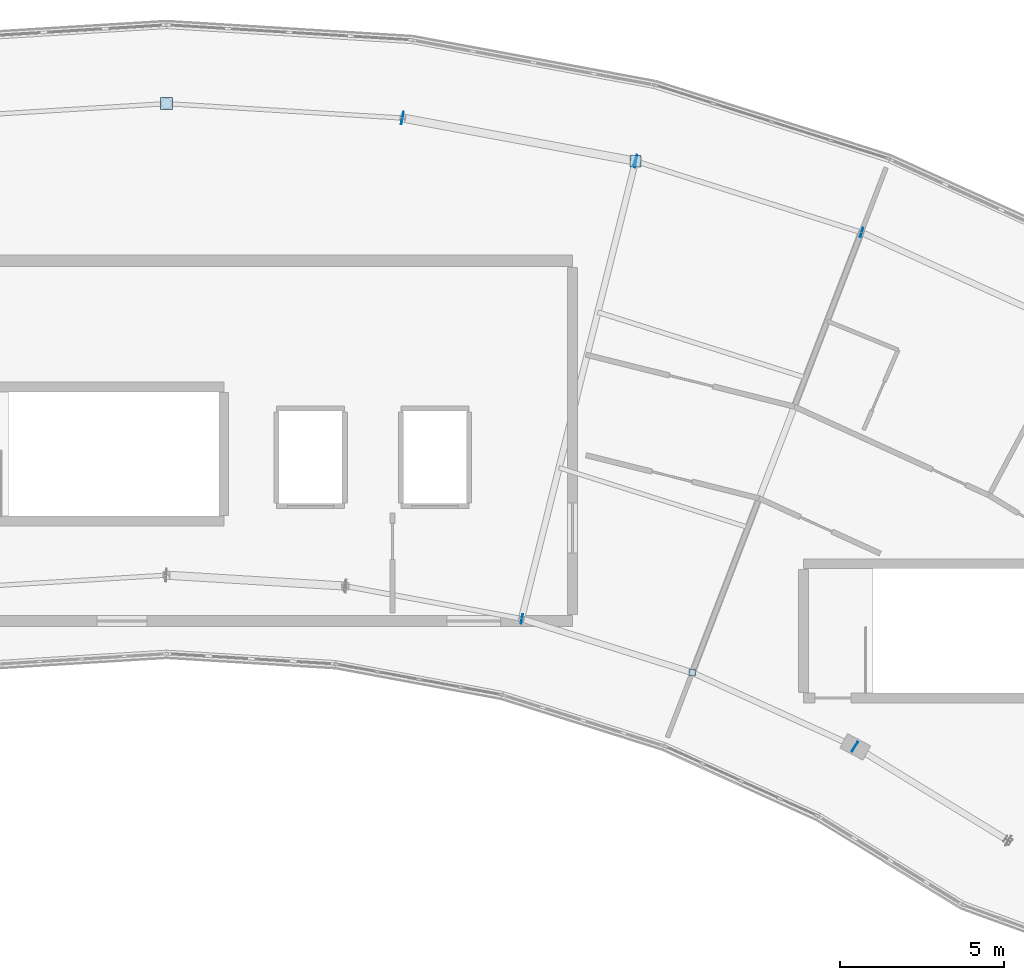
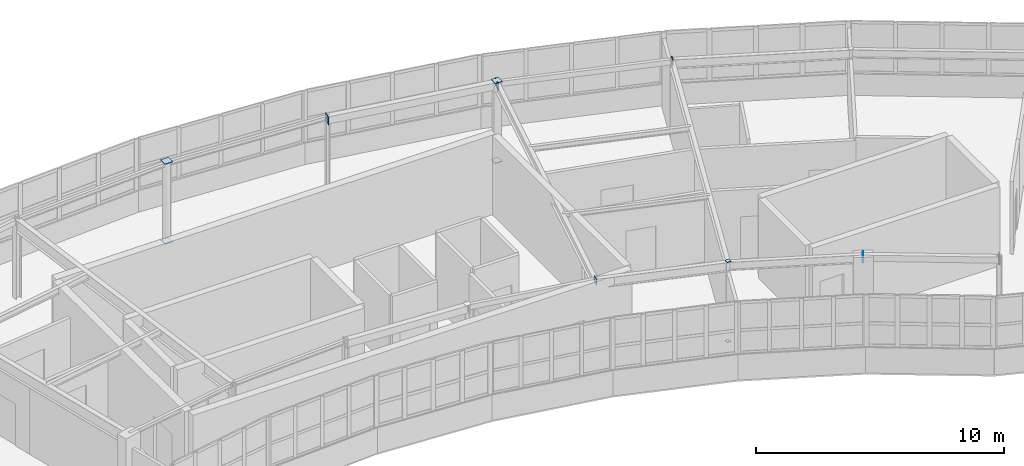
# One storey, part 21 of 26: 12 plates.
"""IFC4 building model written with IfcOpenShell, lengths in metres."""

from ifc_helpers import new_model, si_unit, direction, frame, origin, origin_2d, place, context, subcontext, project, spatial, rectangle, extrude, material, layer, layer_set, type_object, element, save


model = new_model("IFC4")

# Units and contexts
model_context = context("Model", 3, precision=1e-05, world=origin(), true_north=direction((0.0, 1.0)))
body_context = subcontext(model_context, "Body", "Model", "MODEL_VIEW")
ifc_project = project(units=[si_unit("LENGTHUNIT", "METRE"), si_unit("AREAUNIT", "SQUARE_METRE"), si_unit("VOLUMEUNIT", "CUBIC_METRE"), si_unit("PLANEANGLEUNIT", "RADIAN"), si_unit("MASSUNIT", "GRAM", prefix="KILO")], contexts=[model_context])

# Site, building, storey
site_placement = place(None, origin())
site = spatial("IfcSite", under=ifc_project, at=site_placement, CompositionType="ELEMENT")
building_placement = place(site_placement, origin())
building = spatial("IfcBuilding", under=site, at=building_placement, Name="Tarnwether General Hospital", CompositionType="ELEMENT")
storey_placement = place(building_placement, frame((0.0, 0.0, 30.0)))
storey = spatial("IfcBuildingStorey", under=building, at=storey_placement, Name="L07", CompositionType="ELEMENT", Elevation=30.0)

# Plates
ifc_material = material(Name="Steel Grade 350 (350 MPa)", Category="steel")
ifc_layer = layer(ifc_material, 0.02490234375)
ifc_layer_set = layer_set([ifc_layer], Name="Steel Grade 350 (350 MPa)")
plate_type = type_object("IfcPlateType", Name="PT-GUS2", PredefinedType="USERDEFINED", material=ifc_layer_set)
for number, where, z_axis, x_axis, name in (
    (1, (92.0, 122.199951171875, -0.02490234375), (0.0, 0.0, 1.0), (1.0, 0.0, 0.0), "Hollow Section Welded End Cap Plate 0529"),
    (2, (92.0, 122.199951171875, 3.900146484375), (0.0, 0.0, 1.0), (1.0, 0.0, 0.0), "Hollow Section Welded End Cap Plate 0530"),
):
    element("IfcPlate", number, at=place(storey_placement, frame(where, z_axis=z_axis, x_axis=x_axis)), inside=storey, type_object=plate_type, Name=name, ObjectType="GUSSET", PredefinedType="USERDEFINED", context=body_context, shape_type="SweptSolid", body=[
        extrude(rectangle(XDim=0.364013671875, YDim=0.364013671875, at=origin_2d()), origin(), (0.0, 0.0, 1.0), 0.02490234375),
    ])
for number, where, z_axis, x_axis, name in (
    (3, (106.322021484375, 120.44189453125, -0.02490234375), (0.0, 0.0, 1.0), (1.0, 0.0, 0.0), "Hollow Section Welded End Cap Plate 0557"),
    (4, (106.322021484375, 120.44189453125, 3.900146484375), (0.0, 0.0, 1.0), (1.0, 0.0, 0.0), "Hollow Section Welded End Cap Plate 0558"),
):
    element("IfcPlate", number, at=place(storey_placement, frame(where, z_axis=z_axis, x_axis=x_axis)), inside=storey, type_object=plate_type, Name=name, ObjectType="GUSSET", PredefinedType="USERDEFINED", context=body_context, shape_type="SweptSolid", body=[
        extrude(rectangle(XDim=0.340087890625, YDim=0.340087890625, at=origin_2d()), origin(), (0.0, 0.0, 1.0), 0.02490234375),
    ])
for number, where, z_axis, x_axis, name in (
    (5, (108.054931640625, 104.823974609375, -0.02490234375), (0.0, 0.0, 1.0), (1.0, 0.0, 0.0), "Hollow Section Welded End Cap Plate 0577"),
    (6, (108.054931640625, 104.823974609375, 3.900146484375), (0.0, 0.0, 1.0), (1.0, 0.0, 0.0), "Hollow Section Welded End Cap Plate 0578"),
):
    element("IfcPlate", number, at=place(storey_placement, frame(where, z_axis=z_axis, x_axis=x_axis)), inside=storey, type_object=plate_type, Name=name, ObjectType="GUSSET", PredefinedType="USERDEFINED", context=body_context, shape_type="SweptSolid", body=[
        extrude(rectangle(XDim=0.18994140625, YDim=0.18994140625, at=origin_2d()), origin(), (0.0, 0.0, 1.0), 0.02490234375),
    ])
for number, where, z_axis, x_axis, name in (
    (7, (99.20263671875, 121.76123046875, 3.5302734375), (0.0, 0.0, 1.0), (0.983261268185, -0.18220120331, 0.0), "Hollow Section Welded End Cap Plate 1081"),
    (8, (106.334228515625, 120.439697265625, 3.5302734375), (0.0, 0.0, 1.0), (0.983261268185, -0.18220120331, 0.0), "Hollow Section Welded End Cap Plate 1082"),
):
    element("IfcPlate", number, at=place(storey_placement, frame(where, z_axis=z_axis, x_axis=x_axis)), inside=storey, type_object=plate_type, Name=name, ObjectType="GUSSET", PredefinedType="USERDEFINED", context=body_context, shape_type="SweptSolid", body=[
        extrude(rectangle(XDim=0.02490234375, YDim=0.389892578125, at=origin_2d()), origin(), (0.0, 0.0, 1.0), 0.389892578125),
    ])
for number, where, z_axis, x_axis, name in (
    (9, (102.850341796875, 106.466796875, 3.6298828125), (0.0, 0.0, 1.0), (0.983245364386, -0.182287008349, 0.0), "Hollow Section Welded End Cap Plate 1084"),
    (10, (106.31005859375, 120.44580078125, 3.6298828125), (0.0, 0.0, 1.0), (0.953690705585, -0.300789025864, 0.0), "Hollow Section Welded End Cap Plate 1085"),
    (11, (113.226806640625, 118.26416015625, 3.6298828125), (0.0, 0.0, 1.0), (0.953690705585, -0.300789025864, 0.0), "Hollow Section Welded End Cap Plate 1086"),
):
    element("IfcPlate", number, at=place(storey_placement, frame(where, z_axis=z_axis, x_axis=x_axis)), inside=storey, type_object=plate_type, Name=name, ObjectType="GUSSET", PredefinedType="USERDEFINED", context=body_context, shape_type="SweptSolid", body=[
        extrude(rectangle(XDim=0.02490234375, YDim=0.2900390625, at=origin_2d()), origin(), (0.0, 0.0, 1.0), 0.2900390625),
    ])
plate_placement = place(storey_placement, frame((113.021240234375, 102.5625, 3.580078125), z_axis=(0.0, 0.0, 1.0), x_axis=(0.852649283545, -0.522483683258, 0.0)))
element("IfcPlate", 12, at=plate_placement, inside=storey, type_object=plate_type, Name="Hollow Section Welded End Cap Plate 1087", ObjectType="GUSSET", PredefinedType="USERDEFINED", context=body_context, shape_type="SweptSolid", body=[
    extrude(rectangle(XDim=0.02490234375, YDim=0.340087890625, at=origin_2d()), origin(), (0.0, 0.0, 1.0), 0.340087890625),
])

save(model, "model.ifc")
